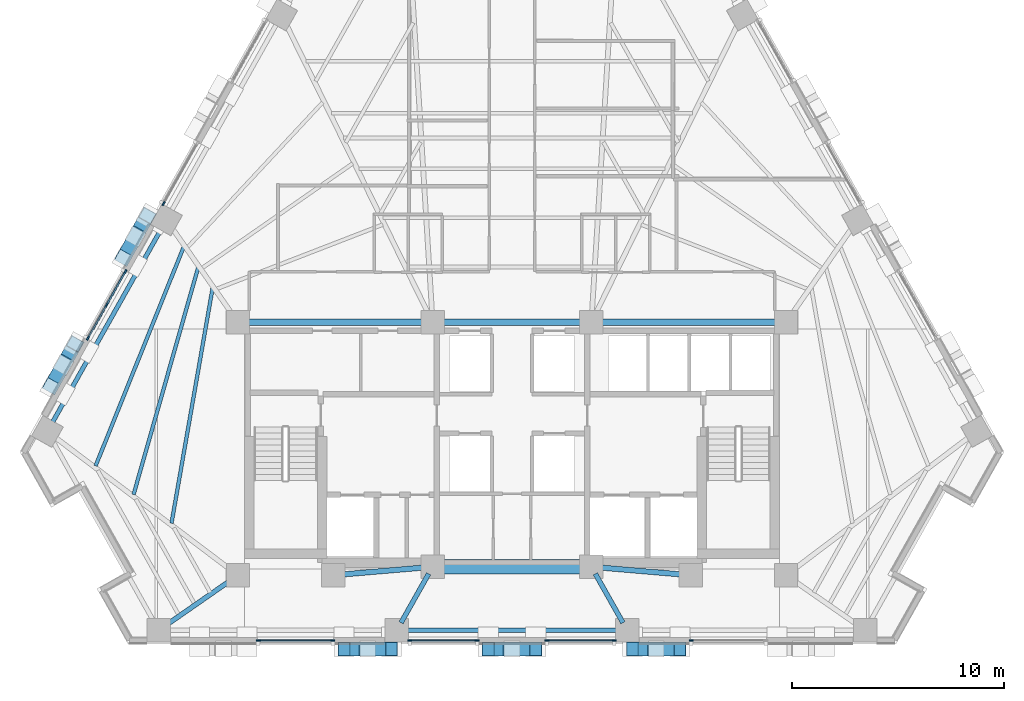
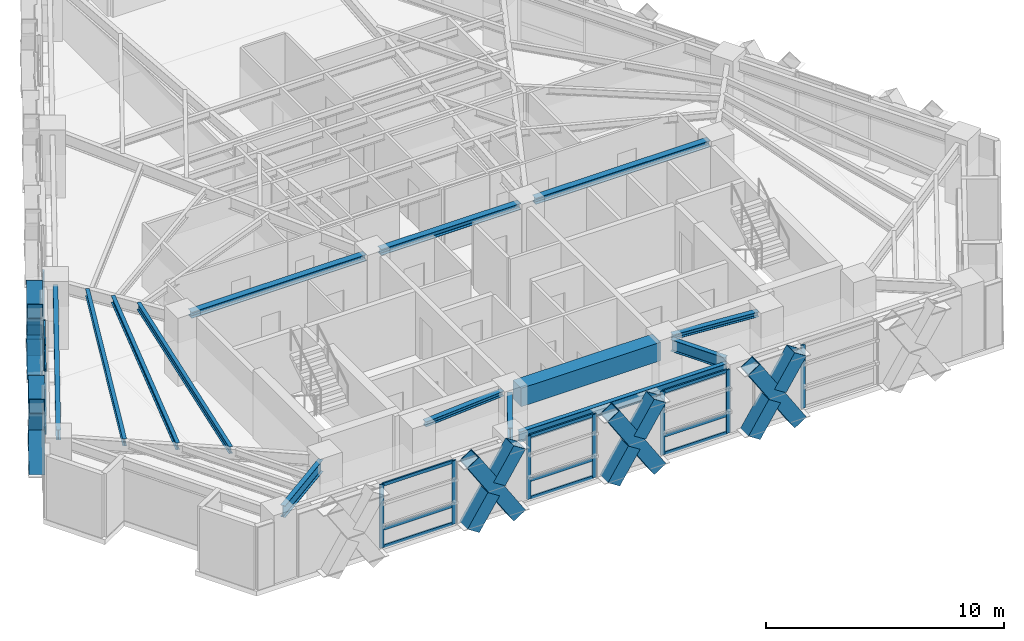
# One storey, part 2 of 14: 41 members, 14 beams, 6 elements without a shape of their own.
"""IFC4 building model written with IfcOpenShell, lengths in metres."""

from ifc_helpers import new_model, si_unit, direction, frame, origin, origin_2d, place, context, subcontext, project, spatial, rectangle, hollow_rectangle, i_section, extrude, material, material_profile, profile_set, type_object, element, aggregate, save


model = new_model("IFC4")

# Units and contexts
model_context = context("Model", 3, precision=1e-05, world=origin(), true_north=direction((0.0, 1.0)))
body_context = subcontext(model_context, "Body", "Model", "MODEL_VIEW")
ifc_project = project(units=[si_unit("LENGTHUNIT", "METRE"), si_unit("AREAUNIT", "SQUARE_METRE"), si_unit("VOLUMEUNIT", "CUBIC_METRE"), si_unit("PLANEANGLEUNIT", "RADIAN"), si_unit("MASSUNIT", "GRAM", prefix="KILO")], contexts=[model_context])

# Site, building, storey
site_placement = place(None, origin())
site = spatial("IfcSite", under=ifc_project, at=site_placement, CompositionType="ELEMENT")
building_placement = place(site_placement, origin())
building = spatial("IfcBuilding", under=site, at=building_placement, Name="Quenlor Broadcast Tower", CompositionType="ELEMENT")
storey_placement = place(building_placement, frame((0.0, 0.0, 112.5)))
storey = spatial("IfcBuildingStorey", under=building, at=storey_placement, Name="L30", CompositionType="ELEMENT", Elevation=112.5)

# Curtain wall, member
ifc_material_1 = material(Name="Architectural Terracotta and Low-E Glazing", Category="masonry")
curtain_wall_type = type_object("IfcCurtainWallType", Name="Unitised Terracotta Curtain Wall System Z2", PredefinedType="NOTDEFINED", material=ifc_material_1)
curtain_wall_1_placement = place(storey_placement, origin())
curtain_wall_1 = element("IfcCurtainWall", 1, at=curtain_wall_1_placement, inside=storey, type_object=curtain_wall_type, Name="L30 Curtain Wall CW2 (L30-SA-G1)", PredefinedType="NOTDEFINED")
ifc_material_2 = material(Name="Aluminium 6063-T6", Category="aluminium")
ifc_material_profile_1 = material_profile(ifc_material_2, rectangle(XDim=0.074951171875, YDim=0.199951171875, at=origin_2d()))
ifc_profile_set_1 = profile_set([ifc_material_profile_1], Name="Aluminium 6063-T6 MULL75x200")
member_type_1 = type_object("IfcMemberType", Name="CW2 Aluminium Mullion MULL_CW2", PredefinedType="MULLION", material=ifc_profile_set_1)
member_1_placement = place(storey_placement, frame((8.47119140625, -19.840087890625, 0.0), z_axis=(0.0, 0.0, 1.0), x_axis=(0.0, -1.0, 0.0)))
member_1 = element("IfcMember", 2, at=member_1_placement, type_object=member_type_1, Name="CW2 mullion 2", PredefinedType="MULLION", context=body_context, shape_type="SweptSolid", body=[
    extrude(rectangle(XDim=0.074951171875, YDim=0.199951171875, at=origin_2d()), origin(), (0.0, 0.0, 1.0), 3.25),
])
aggregate(curtain_wall_1, [member_1])

# Curtain wall, members
curtain_wall_2_placement = place(storey_placement, origin())
curtain_wall_2 = element("IfcCurtainWall", 3, at=curtain_wall_2_placement, inside=storey, type_object=curtain_wall_type, Name="L30 Curtain Wall CW2 (L30-SC-G1)", PredefinedType="NOTDEFINED")
member_2_placement = place(storey_placement, frame((-8.47119140625, -19.840087890625, 0.0), z_axis=(0.0, 0.0, 1.0), x_axis=(0.0, -1.0, 0.0)))
member_2 = element("IfcMember", 4, at=member_2_placement, type_object=member_type_1, Name="CW2 mullion 1", PredefinedType="MULLION", context=body_context, shape_type="SweptSolid", body=[
    extrude(rectangle(XDim=0.074951171875, YDim=0.199951171875, at=origin_2d()), origin(), (0.0, 0.0, 1.0), 3.25),
])
member_3_placement = place(storey_placement, frame((-11.981689453125, -19.840087890625, 0.0), z_axis=(0.0, 0.0, 1.0), x_axis=(0.0, -1.0, 0.0)))
member_3 = element("IfcMember", 5, at=member_3_placement, type_object=member_type_1, Name="CW2 mullion 2", PredefinedType="MULLION", context=body_context, shape_type="SweptSolid", body=[
    extrude(rectangle(XDim=0.074951171875, YDim=0.199951171875, at=origin_2d()), origin(), (0.0, 0.0, 1.0), 3.25),
])

curtain_wall_3_placement = place(storey_placement, origin())
curtain_wall_3 = element("IfcCurtainWall", 6, at=curtain_wall_3_placement, inside=storey, type_object=curtain_wall_type, Name="L30 Curtain Wall CW2 (L30-S-G1)", PredefinedType="NOTDEFINED")
member_4_placement = place(storey_placement, frame((4.835693359375, -19.840087890625, 0.0), z_axis=(0.0, 0.0, 1.0), x_axis=(0.0, -1.0, 0.0)))
member_4 = element("IfcMember", 7, at=member_4_placement, type_object=member_type_1, Name="CW2 mullion 1", PredefinedType="MULLION", context=body_context, shape_type="SweptSolid", body=[
    extrude(rectangle(XDim=0.074951171875, YDim=0.199951171875, at=origin_2d()), origin(), (0.0, 0.0, 1.0), 3.25),
])
member_5_placement = place(storey_placement, frame((1.653564453125, -19.840087890625, 0.0), z_axis=(0.0, 0.0, 1.0), x_axis=(0.0, -1.0, 0.0)))
member_5 = element("IfcMember", 8, at=member_5_placement, type_object=member_type_1, Name="CW2 mullion 2", PredefinedType="MULLION", context=body_context, shape_type="SweptSolid", body=[
    extrude(rectangle(XDim=0.074951171875, YDim=0.199951171875, at=origin_2d()), origin(), (0.0, 0.0, 1.0), 3.25),
])

curtain_wall_4_placement = place(storey_placement, origin())
curtain_wall_4 = element("IfcCurtainWall", 9, at=curtain_wall_4_placement, inside=storey, type_object=curtain_wall_type, Name="L30 Curtain Wall CW2 (L30-S-G2)", PredefinedType="NOTDEFINED")
member_6_placement = place(storey_placement, frame((-1.653564453125, -19.840087890625, 0.0), z_axis=(0.0, 0.0, 1.0), x_axis=(0.0, -1.0, 0.0)))
member_6 = element("IfcMember", 10, at=member_6_placement, type_object=member_type_1, Name="CW2 mullion 1", PredefinedType="MULLION", context=body_context, shape_type="SweptSolid", body=[
    extrude(rectangle(XDim=0.074951171875, YDim=0.199951171875, at=origin_2d()), origin(), (0.0, 0.0, 1.0), 3.25),
])
member_7_placement = place(storey_placement, frame((-4.835693359375, -19.840087890625, 0.0), z_axis=(0.0, 0.0, 1.0), x_axis=(0.0, -1.0, 0.0)))
member_7 = element("IfcMember", 11, at=member_7_placement, type_object=member_type_1, Name="CW2 mullion 2", PredefinedType="MULLION", context=body_context, shape_type="SweptSolid", body=[
    extrude(rectangle(XDim=0.074951171875, YDim=0.199951171875, at=origin_2d()), origin(), (0.0, 0.0, 1.0), 3.25),
])

curtain_wall_5_placement = place(storey_placement, origin())
curtain_wall_5 = element("IfcCurtainWall", 12, at=curtain_wall_5_placement, inside=storey, type_object=curtain_wall_type, Name="L30 Curtain Wall CW2 (L30-NWA-G1)", PredefinedType="NOTDEFINED")
member_8_placement = place(storey_placement, frame((-20.0400390625, -5.55322265625, 0.0), z_axis=(0.0, 0.0, 1.0), x_axis=(-0.871566839915, 0.490276701018, 0.0)))
member_8 = element("IfcMember", 13, at=member_8_placement, type_object=member_type_1, Name="CW2 mullion 1", PredefinedType="MULLION", context=body_context, shape_type="SweptSolid", body=[
    extrude(rectangle(XDim=0.074951171875, YDim=0.199951171875, at=origin_2d()), origin(), (0.0, 0.0, 1.0), 3.25),
])
member_9_placement = place(storey_placement, frame((-19.155029296875, -3.97998046875, 0.0), z_axis=(0.0, 0.0, 1.0), x_axis=(-0.871566839915, 0.490276701018, 0.0)))
member_9 = element("IfcMember", 14, at=member_9_placement, type_object=member_type_1, Name="CW2 mullion 2", PredefinedType="MULLION", context=body_context, shape_type="SweptSolid", body=[
    extrude(rectangle(XDim=0.074951171875, YDim=0.199951171875, at=origin_2d()), origin(), (0.0, 0.0, 1.0), 3.25),
])
member_10_placement = place(storey_placement, frame((-18.270263671875, -2.406982421875, 0.0), z_axis=(0.0, 0.0, 1.0), x_axis=(-0.871566839915, 0.490276701018, 0.0)))
member_10 = element("IfcMember", 15, at=member_10_placement, type_object=member_type_1, Name="CW2 mullion 3", PredefinedType="MULLION", context=body_context, shape_type="SweptSolid", body=[
    extrude(rectangle(XDim=0.074951171875, YDim=0.199951171875, at=origin_2d()), origin(), (0.0, 0.0, 1.0), 3.25),
])

# Curtain wall, member
curtain_wall_6_placement = place(storey_placement, origin())
curtain_wall_6 = element("IfcCurtainWall", 16, at=curtain_wall_6_placement, inside=storey, type_object=curtain_wall_type, Name="L30 Curtain Wall CW2 (L30-NW-G1)", PredefinedType="NOTDEFINED")
member_11_placement = place(storey_placement, frame((-16.459228515625, 0.812744140625, 0.0), z_axis=(0.0, 0.0, 1.0), x_axis=(-0.871575537123, 0.490261239636, 0.0)))
member_11 = element("IfcMember", 17, at=member_11_placement, type_object=member_type_1, Name="CW2 mullion 1", PredefinedType="MULLION", context=body_context, shape_type="SweptSolid", body=[
    extrude(rectangle(XDim=0.074951171875, YDim=0.199951171875, at=origin_2d()), origin(), (0.0, 0.0, 1.0), 3.25),
])
aggregate(curtain_wall_6, [member_11])

# Member
ifc_material_3 = material(Name="Aluminium 6063-T6", Category="aluminium")
ifc_material_profile_2 = material_profile(ifc_material_3, rectangle(XDim=0.074951171875, YDim=0.1650390625, at=origin_2d()))
ifc_profile_set_2 = profile_set([ifc_material_profile_2], Name="Aluminium 6063-T6 TRAN75x165")
member_type_2 = type_object("IfcMemberType", Name="CW2 Aluminium Transom TRAN_CW2", PredefinedType="USERDEFINED", material=ifc_profile_set_2)
member_12_placement = place(storey_placement, frame((-8.508544921875, -19.840087890625, 0.03759765625), z_axis=(-1.0, 0.0, 0.0), x_axis=(0.0, -1.0, 0.0)))
member_12 = element("IfcMember", 18, at=member_12_placement, type_object=member_type_2, Name="CW2 transom 1.1", ObjectType="TRANSOM", PredefinedType="USERDEFINED", context=body_context, shape_type="SweptSolid", body=[
    extrude(rectangle(XDim=0.074951171875, YDim=0.1650390625, at=origin_2d()), origin(), (0.0, 0.0, 1.0), 3.435546875),
])

member_13_placement = place(storey_placement, frame((-8.508544921875, -19.840087890625, 0.949951171875), z_axis=(-1.0, 0.0, 0.0), x_axis=(0.0, -1.0, 0.0)))
member_13 = element("IfcMember", 19, at=member_13_placement, type_object=member_type_2, Name="CW2 transom 1.2", ObjectType="TRANSOM", PredefinedType="USERDEFINED", context=body_context, shape_type="SweptSolid", body=[
    extrude(rectangle(XDim=0.074951171875, YDim=0.1650390625, at=origin_2d()), origin(), (0.0, 0.0, 1.0), 3.435546875),
])

member_14_placement = place(storey_placement, frame((-8.508544921875, -19.840087890625, 3.21240234375), z_axis=(-1.0, 0.0, 0.0), x_axis=(0.0, -1.0, 0.0)))
member_14 = element("IfcMember", 20, at=member_14_placement, type_object=member_type_2, Name="CW2 transom 1.3", ObjectType="TRANSOM", PredefinedType="USERDEFINED", context=body_context, shape_type="SweptSolid", body=[
    extrude(rectangle(XDim=0.074951171875, YDim=0.1650390625, at=origin_2d()), origin(), (0.0, 0.0, 1.0), 3.435546875),
])

aggregate(curtain_wall_2, [member_2, member_3, member_12, member_13, member_14])

member_15_placement = place(storey_placement, frame((4.798095703125, -19.840087890625, 0.03759765625), z_axis=(-1.0, 0.0, 0.0), x_axis=(0.0, -1.0, 0.0)))
member_15 = element("IfcMember", 21, at=member_15_placement, type_object=member_type_2, Name="CW2 transom 1.1", ObjectType="TRANSOM", PredefinedType="USERDEFINED", context=body_context, shape_type="SweptSolid", body=[
    extrude(rectangle(XDim=0.074951171875, YDim=0.1650390625, at=origin_2d()), origin(), (0.0, 0.0, 1.0), 3.107177734375),
])

member_16_placement = place(storey_placement, frame((4.798095703125, -19.840087890625, 0.949951171875), z_axis=(-1.0, 0.0, 0.0), x_axis=(0.0, -1.0, 0.0)))
member_16 = element("IfcMember", 22, at=member_16_placement, type_object=member_type_2, Name="CW2 transom 1.2", ObjectType="TRANSOM", PredefinedType="USERDEFINED", context=body_context, shape_type="SweptSolid", body=[
    extrude(rectangle(XDim=0.074951171875, YDim=0.1650390625, at=origin_2d()), origin(), (0.0, 0.0, 1.0), 3.107177734375),
])

member_17_placement = place(storey_placement, frame((4.798095703125, -19.840087890625, 3.21240234375), z_axis=(-1.0, 0.0, 0.0), x_axis=(0.0, -1.0, 0.0)))
member_17 = element("IfcMember", 23, at=member_17_placement, type_object=member_type_2, Name="CW2 transom 1.3", ObjectType="TRANSOM", PredefinedType="USERDEFINED", context=body_context, shape_type="SweptSolid", body=[
    extrude(rectangle(XDim=0.074951171875, YDim=0.1650390625, at=origin_2d()), origin(), (0.0, 0.0, 1.0), 3.107177734375),
])

aggregate(curtain_wall_3, [member_4, member_5, member_15, member_16, member_17])

member_18_placement = place(storey_placement, frame((-1.69091796875, -19.840087890625, 0.03759765625), z_axis=(-1.0, 0.0, 0.0), x_axis=(0.0, -1.0, 0.0)))
member_18 = element("IfcMember", 24, at=member_18_placement, type_object=member_type_2, Name="CW2 transom 1.1", ObjectType="TRANSOM", PredefinedType="USERDEFINED", context=body_context, shape_type="SweptSolid", body=[
    extrude(rectangle(XDim=0.074951171875, YDim=0.1650390625, at=origin_2d()), origin(), (0.0, 0.0, 1.0), 3.107177734375),
])

member_19_placement = place(storey_placement, frame((-1.69091796875, -19.840087890625, 0.949951171875), z_axis=(-1.0, 0.0, 0.0), x_axis=(0.0, -1.0, 0.0)))
member_19 = element("IfcMember", 25, at=member_19_placement, type_object=member_type_2, Name="CW2 transom 1.2", ObjectType="TRANSOM", PredefinedType="USERDEFINED", context=body_context, shape_type="SweptSolid", body=[
    extrude(rectangle(XDim=0.074951171875, YDim=0.1650390625, at=origin_2d()), origin(), (0.0, 0.0, 1.0), 3.107177734375),
])

member_20_placement = place(storey_placement, frame((-1.69091796875, -19.840087890625, 3.21240234375), z_axis=(-1.0, 0.0, 0.0), x_axis=(0.0, -1.0, 0.0)))
member_20 = element("IfcMember", 26, at=member_20_placement, type_object=member_type_2, Name="CW2 transom 1.3", ObjectType="TRANSOM", PredefinedType="USERDEFINED", context=body_context, shape_type="SweptSolid", body=[
    extrude(rectangle(XDim=0.074951171875, YDim=0.1650390625, at=origin_2d()), origin(), (0.0, 0.0, 1.0), 3.107177734375),
])

aggregate(curtain_wall_4, [member_6, member_7, member_18, member_19, member_20])

member_21_placement = place(storey_placement, frame((-20.021728515625, -5.5205078125, 0.03759765625), z_axis=(0.490261239633, 0.871575537125, 0.0), x_axis=(-0.871575537125, 0.490261239633, 0.0)))
member_21 = element("IfcMember", 27, at=member_21_placement, type_object=member_type_2, Name="CW2 transom 1.1", ObjectType="TRANSOM", PredefinedType="USERDEFINED", context=body_context, shape_type="SweptSolid", body=[
    extrude(rectangle(XDim=0.074951171875, YDim=0.1650390625, at=origin_2d()), origin(), (0.0, 0.0, 1.0), 1.72998046875),
])

member_22_placement = place(storey_placement, frame((-20.021728515625, -5.5205078125, 0.949951171875), z_axis=(0.490261239633, 0.871575537125, 0.0), x_axis=(-0.871575537125, 0.490261239633, 0.0)))
member_22 = element("IfcMember", 28, at=member_22_placement, type_object=member_type_2, Name="CW2 transom 1.2", ObjectType="TRANSOM", PredefinedType="USERDEFINED", context=body_context, shape_type="SweptSolid", body=[
    extrude(rectangle(XDim=0.074951171875, YDim=0.1650390625, at=origin_2d()), origin(), (0.0, 0.0, 1.0), 1.72998046875),
])

member_23_placement = place(storey_placement, frame((-20.021728515625, -5.5205078125, 3.21240234375), z_axis=(0.490261239633, 0.871575537125, 0.0), x_axis=(-0.871575537125, 0.490261239633, 0.0)))
member_23 = element("IfcMember", 29, at=member_23_placement, type_object=member_type_2, Name="CW2 transom 1.3", ObjectType="TRANSOM", PredefinedType="USERDEFINED", context=body_context, shape_type="SweptSolid", body=[
    extrude(rectangle(XDim=0.074951171875, YDim=0.1650390625, at=origin_2d()), origin(), (0.0, 0.0, 1.0), 1.72998046875),
])

member_24_placement = place(storey_placement, frame((-19.13671875, -3.947265625, 0.03759765625), z_axis=(0.490261239633, 0.871575537125, 0.0), x_axis=(-0.871575537125, 0.490261239633, 0.0)))
member_24 = element("IfcMember", 30, at=member_24_placement, type_object=member_type_2, Name="CW2 transom 2.1", ObjectType="TRANSOM", PredefinedType="USERDEFINED", context=body_context, shape_type="SweptSolid", body=[
    extrude(rectangle(XDim=0.074951171875, YDim=0.1650390625, at=origin_2d()), origin(), (0.0, 0.0, 1.0), 1.72998046875),
])

member_25_placement = place(storey_placement, frame((-19.13671875, -3.947265625, 0.949951171875), z_axis=(0.490261239633, 0.871575537125, 0.0), x_axis=(-0.871575537125, 0.490261239633, 0.0)))
member_25 = element("IfcMember", 31, at=member_25_placement, type_object=member_type_2, Name="CW2 transom 2.2", ObjectType="TRANSOM", PredefinedType="USERDEFINED", context=body_context, shape_type="SweptSolid", body=[
    extrude(rectangle(XDim=0.074951171875, YDim=0.1650390625, at=origin_2d()), origin(), (0.0, 0.0, 1.0), 1.72998046875),
])

member_26_placement = place(storey_placement, frame((-19.13671875, -3.947265625, 3.21240234375), z_axis=(0.490261239633, 0.871575537125, 0.0), x_axis=(-0.871575537125, 0.490261239633, 0.0)))
member_26 = element("IfcMember", 32, at=member_26_placement, type_object=member_type_2, Name="CW2 transom 2.3", ObjectType="TRANSOM", PredefinedType="USERDEFINED", context=body_context, shape_type="SweptSolid", body=[
    extrude(rectangle(XDim=0.074951171875, YDim=0.1650390625, at=origin_2d()), origin(), (0.0, 0.0, 1.0), 1.72998046875),
])

aggregate(curtain_wall_5, [member_8, member_9, member_10, member_21, member_22, member_23, member_24, member_25, member_26])

# Beams
ifc_material_4 = material(Name="Concrete C50/60", Category="concrete")
ifc_material_profile_3 = material_profile(ifc_material_4, rectangle(XDim=0.699951171875, YDim=0.949951171875, at=origin_2d()))
ifc_profile_set_3 = profile_set([ifc_material_profile_3], Name="Concrete C50/60 RCB700x950")
beam_type_1 = type_object("IfcBeamType", Name="Core Coupling Beam Concrete C50/60 700x950", PredefinedType="BEAM", material=ifc_profile_set_3)
beam_1_placement = place(storey_placement, frame((-3.389892578125, -16.35009765625, 2.77490234375), z_axis=(1.0, 0.0, 0.0), x_axis=(0.0, 1.0, 0.0)))
element("IfcBeam", 33, at=beam_1_placement, inside=storey, type_object=beam_type_1, Name="L30 Core Coupling Beam 6", PredefinedType="BEAM", context=body_context, shape_type="SweptSolid", body=[
    extrude(rectangle(XDim=0.699951171875, YDim=0.949951171875, at=origin_2d()), origin(), (0.0, 0.0, 1.0), 6.77978515625),
])
ifc_material_5 = material(Name="Steel S355", Category="steel")
ifc_material_profile_4 = material_profile(ifc_material_5, i_section(OverallWidth=0.304931640625, OverallDepth=0.30810546875, WebThickness=0.010009765625, FlangeThickness=0.015380859375, FilletRadius=0.0166015625, at=origin_2d()))
ifc_profile_set_4 = profile_set([ifc_material_profile_4], Name="Steel S355 310UC96.8")
beam_type_2 = type_object("IfcBeamType", Name="Core Header Beam Steel S355 310UC96.8", PredefinedType="BEAM", material=ifc_profile_set_4)
beam_2_placement = place(storey_placement, frame((-3.389892578125, -4.800048828125, 3.095947265625), z_axis=(1.0, 0.0, 0.0), x_axis=(0.0, 1.0, 0.0)))
element("IfcBeam", 34, at=beam_2_placement, inside=storey, type_object=beam_type_2, Name="L30 Core Header Beam 2", PredefinedType="BEAM", context=body_context, shape_type="SweptSolid", body=[
    extrude(i_section(OverallWidth=0.304931640625, OverallDepth=0.30810546875, WebThickness=0.010009765625, FlangeThickness=0.015380859375, FilletRadius=0.0166015625, at=origin_2d()), origin(), (0.0, 0.0, 1.0), 6.77978515625),
])
ifc_material_6 = material(Name="Steel S355", Category="steel")
ifc_material_profile_5 = material_profile(ifc_material_6, i_section(OverallWidth=0.25390625, OverallDepth=0.25390625, WebThickness=0.008544921875, FlangeThickness=0.01416015625, FilletRadius=0.013916015625, at=origin_2d()))
ifc_profile_set_5 = profile_set([ifc_material_profile_5], Name="Steel S355 250UC72.9")
beam_type_3 = type_object("IfcBeamType", Name="Core Opening Lintel Beam Steel S355 250UC72.9", PredefinedType="LINTEL", material=ifc_profile_set_5)
for number, where, z_axis, x_axis, name in (
    (35, (-8.09130859375, -16.719482421875, 3.123046875), (0.996399763903, 0.084779186679, 0.0), (-0.084779186679, 0.996399763903, 0.0), "L30 Core Opening Lintel Beam 4"),
    (36, (4.108642578125, -16.380615234375, 3.123046875), (0.996399763903, -0.084779186679, 0.0), (0.084779186679, 0.996399763903, 0.0), "L30 Core Opening Lintel Beam 5"),
):
    element("IfcBeam", number, at=place(storey_placement, frame(where, z_axis=z_axis, x_axis=x_axis)), inside=storey, type_object=beam_type_3, Name=name, PredefinedType="LINTEL", context=body_context, shape_type="SweptSolid", body=[
        extrude(i_section(OverallWidth=0.25390625, OverallDepth=0.25390625, WebThickness=0.008544921875, FlangeThickness=0.01416015625, FilletRadius=0.013916015625, at=origin_2d()), origin(), (0.0, 0.0, 1.0), 3.9970703125),
    ])
ifc_material_7 = material(Name="Steel S355", Category="steel")
ifc_material_profile_6 = material_profile(ifc_material_7, i_section(OverallWidth=0.306884765625, OverallDepth=0.314697265625, WebThickness=0.011962890625, FlangeThickness=0.018798828125, FilletRadius=0.0166015625, at=origin_2d()))
ifc_profile_set_6 = profile_set([ifc_material_profile_6], Name="Steel S355 310UC118")
beam_type_4 = type_object("IfcBeamType", Name="Core Tie Beam Steel S355 310UC118", PredefinedType="BEAM", material=ifc_profile_set_6)
for number, where, z_axis, x_axis, name in (
    (37, (-12.590087890625, -4.800048828125, 3.0927734375), (1.0, 0.0, 0.0), (0.0, 1.0, 0.0), "L30 Core Tie Beam 1"),
    (38, (4.110107421875, -4.800048828125, 3.0927734375), (1.0, 0.0, 0.0), (0.0, 1.0, 0.0), "L30 Core Tie Beam 3"),
):
    element("IfcBeam", number, at=place(storey_placement, frame(where, z_axis=z_axis, x_axis=x_axis)), inside=storey, type_object=beam_type_4, Name=name, PredefinedType="BEAM", context=body_context, shape_type="SweptSolid", body=[
        extrude(i_section(OverallWidth=0.306884765625, OverallDepth=0.314697265625, WebThickness=0.011962890625, FlangeThickness=0.018798828125, FilletRadius=0.0166015625, at=origin_2d()), origin(), (0.0, 0.0, 1.0), 8.47998046875),
    ])

# Members
ifc_material_8 = material(Name="Steel S355", Category="steel")
ifc_material_profile_7 = material_profile(ifc_material_8, hollow_rectangle(XDim=0.679931640625, YDim=0.679931640625, WallThickness=0.030029296875, at=origin_2d()))
ifc_profile_set_7 = profile_set([ifc_material_profile_7], Name="Steel S355 RHS680x680x30")
member_type_3 = type_object("IfcMemberType", Name="Perimeter Diagonal Lattice Brace Z2 Steel S355 RHS680x30", PredefinedType="BRACE", material=ifc_profile_set_7)
member_27_placement = place(storey_placement, frame((7.940185546875, -20.235107421875, -0.1201171875), z_axis=(-0.539926440573, 0.0, 0.841712206618), x_axis=(0.0, -1.0, 0.0)))
element("IfcMember", 39, at=member_27_placement, inside=storey, type_object=member_type_3, Name="L30 Perimeter Diamond Lattice S-C2XA", PredefinedType="BRACE", context=body_context, shape_type="SweptSolid", body=[
    extrude(hollow_rectangle(XDim=0.679931640625, YDim=0.679931640625, WallThickness=0.030029296875, at=origin_2d()), origin(), (0.0, 0.0, 1.0), 4.158203125),
])
member_28_placement = place(storey_placement, frame((5.695068359375, -20.235107421875, -0.1201171875), z_axis=(0.539860138754, 0.0, 0.841754733034), x_axis=(0.0, 1.0, 0.0)))
element("IfcMember", 40, at=member_28_placement, inside=storey, type_object=member_type_3, Name="L30 Perimeter Diamond Lattice S-C2XB1", PredefinedType="BRACE", context=body_context, shape_type="SweptSolid", body=[
    extrude(hollow_rectangle(XDim=0.679931640625, YDim=0.679931640625, WallThickness=0.030029296875, at=origin_2d()), origin(), (0.0, 0.0, 1.0), 1.829345703125),
])
member_29_placement = place(storey_placement, frame((6.95263671875, -20.235107421875, 1.84033203125), z_axis=(0.539920793993, 0.0, 0.841715828658), x_axis=(0.0, 1.0, 0.0)))
element("IfcMember", 41, at=member_29_placement, inside=storey, type_object=member_type_3, Name="L30 Perimeter Diamond Lattice S-C2XB2", PredefinedType="BRACE", context=body_context, shape_type="SweptSolid", body=[
    extrude(hollow_rectangle(XDim=0.679931640625, YDim=0.679931640625, WallThickness=0.030029296875, at=origin_2d()), origin(), (0.0, 0.0, 1.0), 1.8291015625),
])
member_30_placement = place(storey_placement, frame((1.12255859375, -20.235107421875, -0.1201171875), z_axis=(-0.539926440573, 0.0, 0.841712206618), x_axis=(0.0, -1.0, 0.0)))
element("IfcMember", 42, at=member_30_placement, inside=storey, type_object=member_type_3, Name="L30 Perimeter Diamond Lattice S-C3XA", PredefinedType="BRACE", context=body_context, shape_type="SweptSolid", body=[
    extrude(hollow_rectangle(XDim=0.679931640625, YDim=0.679931640625, WallThickness=0.030029296875, at=origin_2d()), origin(), (0.0, 0.0, 1.0), 4.158203125),
])
member_31_placement = place(storey_placement, frame((-1.12255859375, -20.235107421875, -0.1201171875), z_axis=(0.539860138754, 0.0, 0.841754733034), x_axis=(0.0, 1.0, 0.0)))
element("IfcMember", 43, at=member_31_placement, inside=storey, type_object=member_type_3, Name="L30 Perimeter Diamond Lattice S-C3XB1", PredefinedType="BRACE", context=body_context, shape_type="SweptSolid", body=[
    extrude(hollow_rectangle(XDim=0.679931640625, YDim=0.679931640625, WallThickness=0.030029296875, at=origin_2d()), origin(), (0.0, 0.0, 1.0), 1.829345703125),
])
member_32_placement = place(storey_placement, frame((0.135009765625, -20.235107421875, 1.84033203125), z_axis=(0.539920793993, 0.0, 0.841715828658), x_axis=(0.0, 1.0, 0.0)))
element("IfcMember", 44, at=member_32_placement, inside=storey, type_object=member_type_3, Name="L30 Perimeter Diamond Lattice S-C3XB2", PredefinedType="BRACE", context=body_context, shape_type="SweptSolid", body=[
    extrude(hollow_rectangle(XDim=0.679931640625, YDim=0.679931640625, WallThickness=0.030029296875, at=origin_2d()), origin(), (0.0, 0.0, 1.0), 1.8291015625),
])
member_33_placement = place(storey_placement, frame((-5.695068359375, -20.235107421875, -0.1201171875), z_axis=(-0.539926440573, 0.0, 0.841712206618), x_axis=(0.0, -1.0, 0.0)))
element("IfcMember", 45, at=member_33_placement, inside=storey, type_object=member_type_3, Name="L30 Perimeter Diamond Lattice S-C4XA", PredefinedType="BRACE", context=body_context, shape_type="SweptSolid", body=[
    extrude(hollow_rectangle(XDim=0.679931640625, YDim=0.679931640625, WallThickness=0.030029296875, at=origin_2d()), origin(), (0.0, 0.0, 1.0), 4.158203125),
])
member_34_placement = place(storey_placement, frame((-7.940185546875, -20.235107421875, -0.1201171875), z_axis=(0.539860138754, 0.0, 0.841754733034), x_axis=(0.0, 1.0, 0.0)))
element("IfcMember", 46, at=member_34_placement, inside=storey, type_object=member_type_3, Name="L30 Perimeter Diamond Lattice S-C4XB1", PredefinedType="BRACE", context=body_context, shape_type="SweptSolid", body=[
    extrude(hollow_rectangle(XDim=0.679931640625, YDim=0.679931640625, WallThickness=0.030029296875, at=origin_2d()), origin(), (0.0, 0.0, 1.0), 1.829345703125),
])
member_35_placement = place(storey_placement, frame((-6.6826171875, -20.235107421875, 1.84033203125), z_axis=(0.539920793993, 0.0, 0.841715828658), x_axis=(0.0, 1.0, 0.0)))
element("IfcMember", 47, at=member_35_placement, inside=storey, type_object=member_type_3, Name="L30 Perimeter Diamond Lattice S-C4XB2", PredefinedType="BRACE", context=body_context, shape_type="SweptSolid", body=[
    extrude(hollow_rectangle(XDim=0.679931640625, YDim=0.679931640625, WallThickness=0.030029296875, at=origin_2d()), origin(), (0.0, 0.0, 1.0), 1.8291015625),
])
member_36_placement = place(storey_placement, frame((-21.76806640625, -7.8193359375, -0.1201171875), z_axis=(0.268696511206, 0.477585438485, 0.836489290913), x_axis=(-0.871532878923, 0.490337068716, 0.0)))
element("IfcMember", 48, at=member_36_placement, inside=storey, type_object=member_type_3, Name="L30 Perimeter Diamond Lattice NW-C1XA", PredefinedType="BRACE", context=body_context, shape_type="SweptSolid", body=[
    extrude(hollow_rectangle(XDim=0.679931640625, YDim=0.679931640625, WallThickness=0.030029296875, at=origin_2d()), origin(), (0.0, 0.0, 1.0), 4.18408203125),
])
member_37_placement = place(storey_placement, frame((-20.643798828125, -5.821044921875, -0.1201171875), z_axis=(-0.268766711364, -0.477498254953, 0.836516509926), x_axis=(0.871439858367, -0.49050236824, 0.0)))
element("IfcMember", 49, at=member_37_placement, inside=storey, type_object=member_type_3, Name="L30 Perimeter Diamond Lattice NW-C1XB1", PredefinedType="BRACE", context=body_context, shape_type="SweptSolid", body=[
    extrude(hollow_rectangle(XDim=0.679931640625, YDim=0.679931640625, WallThickness=0.030029296875, at=origin_2d()), origin(), (0.0, 0.0, 1.0), 1.84228515625),
])
member_38_placement = place(storey_placement, frame((-21.273193359375, -6.939453125, 1.839111328125), z_axis=(-0.268656529223, -0.477670513725, 0.836453554971), x_axis=(0.871601370751, -0.490215310353, 0.0)))
element("IfcMember", 50, at=member_38_placement, inside=storey, type_object=member_type_3, Name="L30 Perimeter Diamond Lattice NW-C1XB2", PredefinedType="BRACE", context=body_context, shape_type="SweptSolid", body=[
    extrude(hollow_rectangle(XDim=0.679931640625, YDim=0.679931640625, WallThickness=0.030029296875, at=origin_2d()), origin(), (0.0, 0.0, 1.0), 1.842041015625),
])
member_39_placement = place(storey_placement, frame((-18.35498046875, -1.751708984375, -0.1201171875), z_axis=(0.268696511206, 0.477585438485, 0.836489290913), x_axis=(-0.871532878923, 0.490337068716, 0.0)))
element("IfcMember", 51, at=member_39_placement, inside=storey, type_object=member_type_3, Name="L30 Perimeter Diamond Lattice NW-C2XA", PredefinedType="BRACE", context=body_context, shape_type="SweptSolid", body=[
    extrude(hollow_rectangle(XDim=0.679931640625, YDim=0.679931640625, WallThickness=0.030029296875, at=origin_2d()), origin(), (0.0, 0.0, 1.0), 4.18408203125),
])
for number, where, z_axis, x_axis, name in (
    (52, (-17.230712890625, 0.24658203125, -0.1201171875), (-0.268643750061, -0.477515259729, 0.836546300141), (0.871543234879, -0.490318661421, 0.0), "L30 Perimeter Diamond Lattice NW-C2XB1"),
    (53, (-17.860107421875, -0.871826171875, 1.839111328125), (-0.268656529223, -0.477670513725, 0.836453554971), (0.871601370751, -0.490215310353, 0.0), "L30 Perimeter Diamond Lattice NW-C2XB2"),
):
    element("IfcMember", number, at=place(storey_placement, frame(where, z_axis=z_axis, x_axis=x_axis)), inside=storey, type_object=member_type_3, Name=name, PredefinedType="BRACE", context=body_context, shape_type="SweptSolid", body=[
        extrude(hollow_rectangle(XDim=0.679931640625, YDim=0.679931640625, WallThickness=0.030029296875, at=origin_2d()), origin(), (0.0, 0.0, 1.0), 1.842041015625),
    ])

# Beams
ifc_material_9 = material(Name="Steel S355", Category="steel")
ifc_material_profile_8 = material_profile(ifc_material_9, i_section(OverallWidth=0.208984375, OverallDepth=0.5283203125, WebThickness=0.009521484375, FlangeThickness=0.01318359375, FilletRadius=0.013916015625, at=origin_2d()))
ifc_profile_set_8 = profile_set([ifc_material_profile_8], Name="Steel S355 530UB82.0")
beam_type_5 = type_object("IfcBeamType", Name="Perimeter Spandrel Beam Z2 Steel S355 530UB82.0", PredefinedType="SPANDREL", material=ifc_profile_set_8)
beam_3_placement = place(storey_placement, frame((-5.033203125, -19.35009765625, 2.98583984375), z_axis=(1.0, 0.0, 0.0), x_axis=(0.0, 1.0, 0.0)))
element("IfcBeam", 54, at=beam_3_placement, inside=storey, type_object=beam_type_5, Name="L30 Spandrel Beam S2-S3", PredefinedType="SPANDREL", context=body_context, shape_type="SweptSolid", body=[
    extrude(i_section(OverallWidth=0.208984375, OverallDepth=0.5283203125, WebThickness=0.009521484375, FlangeThickness=0.01318359375, FilletRadius=0.013916015625, at=origin_2d()), origin(), (0.0, 0.0, 1.0), 10.06640625),
])
beam_4_placement = place(storey_placement, frame((-16.531005859375, -0.314453125, 2.98583984375), z_axis=(-0.490263415828, -0.871574313011, 0.0), x_axis=(0.871574313011, -0.490263415828, 0.0)))
element("IfcBeam", 55, at=beam_4_placement, inside=storey, type_object=beam_type_5, Name="L30 Spandrel Beam NW3-NW4", PredefinedType="SPANDREL", context=body_context, shape_type="SweptSolid", body=[
    extrude(i_section(OverallWidth=0.208984375, OverallDepth=0.5283203125, WebThickness=0.009521484375, FlangeThickness=0.01318359375, FilletRadius=0.013916015625, at=origin_2d()), origin(), (0.0, 0.0, 1.0), 10.65283203125),
])
ifc_material_10 = material(Name="Steel S355", Category="steel")
ifc_material_profile_9 = material_profile(ifc_material_10, i_section(OverallWidth=0.172119140625, OverallDepth=0.358642578125, WebThickness=0.008056640625, FlangeThickness=0.012939453125, FilletRadius=0.011474609375, at=origin_2d()))
ifc_profile_set_9 = profile_set([ifc_material_profile_9], Name="Steel S355 360UB56.7")
beam_type_6 = type_object("IfcBeamType", Name="Tower Composite Joist Z2-Z3 Steel S355 360UB56.7", PredefinedType="JOIST", material=ifc_profile_set_9)
beam_5_placement = place(storey_placement, frame((-16.087890625, -14.29345703125, 3.07080078125), z_axis=(0.172120396521, 0.985075920476, 0.0), x_axis=(-0.985075920476, 0.172120396521, 0.0)))
element("IfcBeam", 56, at=beam_5_placement, inside=storey, type_object=beam_type_6, Name="L30 Secondary Composite Joist 13", PredefinedType="JOIST", context=body_context, shape_type="SweptSolid", body=[
    extrude(i_section(OverallWidth=0.172119140625, OverallDepth=0.358642578125, WebThickness=0.008056640625, FlangeThickness=0.012939453125, FilletRadius=0.011474609375, at=origin_2d()), origin(), (0.0, 0.0, 1.0), 11.27783203125),
])
beam_6_placement = place(storey_placement, frame((-17.880615234375, -12.9365234375, 3.07080078125), z_axis=(0.273563993601, 0.96185380459, 0.0), x_axis=(-0.96185380459, 0.273563993601, 0.0)))
element("IfcBeam", 57, at=beam_6_placement, inside=storey, type_object=beam_type_6, Name="L30 Secondary Composite Joist 14", PredefinedType="JOIST", context=body_context, shape_type="SweptSolid", body=[
    extrude(i_section(OverallWidth=0.172119140625, OverallDepth=0.358642578125, WebThickness=0.008056640625, FlangeThickness=0.012939453125, FilletRadius=0.011474609375, at=origin_2d()), origin(), (0.0, 0.0, 1.0), 11.1484375),
])
beam_7_placement = place(storey_placement, frame((-19.673583984375, -11.580810546875, 3.07080078125), z_axis=(0.373180395983, 0.92775880058, 0.0), x_axis=(-0.92775880058, 0.373180395983, 0.0)))
element("IfcBeam", 58, at=beam_7_placement, inside=storey, type_object=beam_type_6, Name="L30 Secondary Composite Joist 15", PredefinedType="JOIST", context=body_context, shape_type="SweptSolid", body=[
    extrude(i_section(OverallWidth=0.172119140625, OverallDepth=0.358642578125, WebThickness=0.008056640625, FlangeThickness=0.012939453125, FilletRadius=0.011474609375, at=origin_2d()), origin(), (0.0, 0.0, 1.0), 11.143798828125),
])
ifc_material_11 = material(Name="Steel S355", Category="steel")
ifc_material_profile_10 = material_profile(ifc_material_11, i_section(OverallWidth=0.22802734375, OverallDepth=0.60205078125, WebThickness=0.010498046875, FlangeThickness=0.014892578125, FilletRadius=0.013916015625, at=origin_2d()))
ifc_profile_set_10 = profile_set([ifc_material_profile_10], Name="Steel S355 610UB101")
beam_type_7 = type_object("IfcBeamType", Name="Tower Primary Floor Beam Z2 Steel S355 610UB101", PredefinedType="BEAM", material=ifc_profile_set_10)
beam_8_placement = place(storey_placement, frame((-16.355712890625, -19.1162109375, 2.948974609375), z_axis=(0.821227395059, 0.570601056436, 0.0), x_axis=(-0.570601056436, 0.821227395059, 0.0)))
element("IfcBeam", 59, at=beam_8_placement, inside=storey, type_object=beam_type_7, Name="L30 Primary Radial Beam S1", PredefinedType="BEAM", context=body_context, shape_type="SweptSolid", body=[
    extrude(i_section(OverallWidth=0.22802734375, OverallDepth=0.60205078125, WebThickness=0.010498046875, FlangeThickness=0.014892578125, FilletRadius=0.013916015625, at=origin_2d()), origin(), (0.0, 0.0, 1.0), 3.766845703125),
])
for number, where, z_axis, x_axis, name in (
    (60, (-5.24169921875, -18.992919921875, 2.948974609375), (0.491526879548, 0.870862403989, 0.0), (-0.870862403989, 0.491526879548, 0.0), "L30 Primary Radial Beam S2"),
    (61, (5.24169921875, -18.992919921875, 2.948974609375), (-0.491526879548, 0.870862403989, 0.0), (-0.870862403989, -0.491526879548, 0.0), "L30 Primary Radial Beam S3"),
):
    element("IfcBeam", number, at=place(storey_placement, frame(where, z_axis=z_axis, x_axis=x_axis)), inside=storey, type_object=beam_type_7, Name=name, PredefinedType="BEAM", context=body_context, shape_type="SweptSolid", body=[
        extrude(i_section(OverallWidth=0.22802734375, OverallDepth=0.60205078125, WebThickness=0.010498046875, FlangeThickness=0.014892578125, FilletRadius=0.013916015625, at=origin_2d()), origin(), (0.0, 0.0, 1.0), 2.65478515625),
    ])

save(model, "model.ifc")
